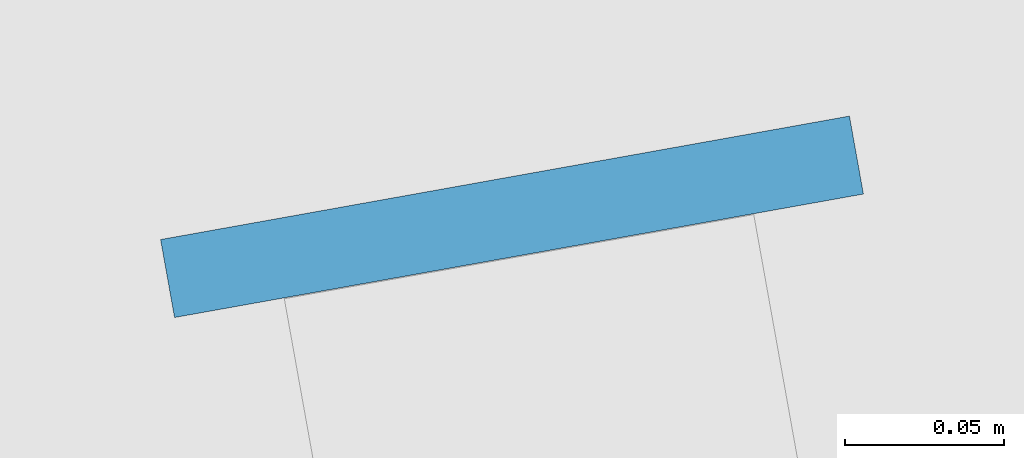
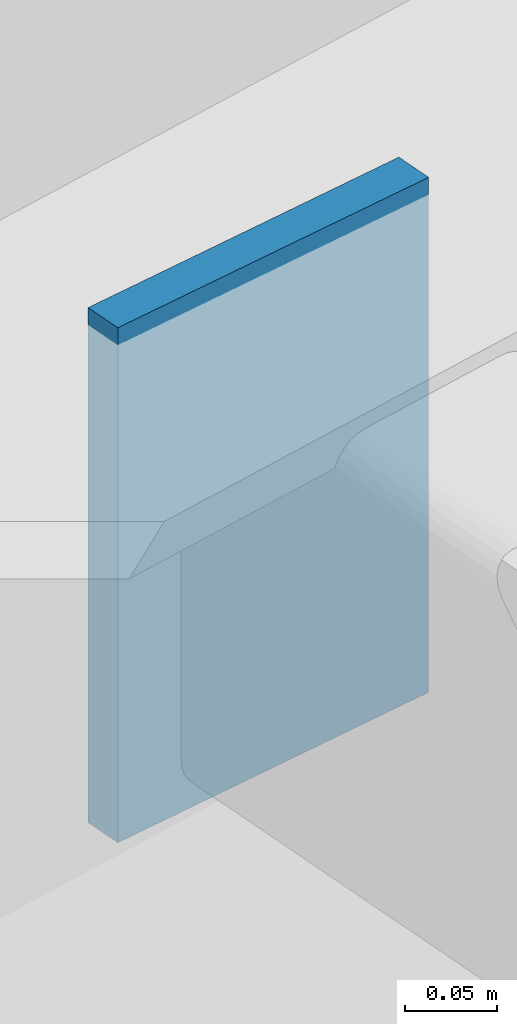
# One storey, part 7 of 15: 1 plate.
"""IFC4 building model written with IfcOpenShell, lengths in metres."""

from ifc_helpers import new_model, si_unit, direction, frame, origin, origin_2d, place, context, subcontext, project, spatial, rectangle, extrude, material, layer, layer_set, type_object, element, save


model = new_model("IFC4")

# Units and contexts
model_context = context("Model", 3, precision=1e-05, world=origin(), true_north=direction((0.0, 1.0)))
body_context = subcontext(model_context, "Body", "Model", "MODEL_VIEW")
ifc_project = project(units=[si_unit("LENGTHUNIT", "METRE"), si_unit("AREAUNIT", "SQUARE_METRE"), si_unit("VOLUMEUNIT", "CUBIC_METRE"), si_unit("PLANEANGLEUNIT", "RADIAN"), si_unit("MASSUNIT", "GRAM", prefix="KILO")], contexts=[model_context])

# Site, building, storey
site_placement = place(None, origin())
site = spatial("IfcSite", under=ifc_project, at=site_placement, CompositionType="ELEMENT")
building_placement = place(site_placement, origin())
building = spatial("IfcBuilding", under=site, at=building_placement, Name="Valkerne Bourse Tower", CompositionType="ELEMENT")
storey_placement = place(building_placement, frame((0.0, 0.0, 205.60009765625)))
storey = spatial("IfcBuildingStorey", under=building, at=storey_placement, Name="L52", CompositionType="ELEMENT", Elevation=205.60009765625)

# Plate
ifc_material = material(Name="Steel ASTM A572 Grade 50", Category="steel")
ifc_layer = layer(ifc_material, 0.02490234375)
ifc_layer_set = layer_set([ifc_layer], Name="Steel ASTM A572 Grade 50")
plate_type = type_object("IfcPlateType", Name="PLT-CAP-300", PredefinedType="SHEET", material=ifc_layer_set)
plate_placement = place(storey_placement, frame((60.6171875, 28.091796875, 3.27001953125), z_axis=(0.0, 0.0, 1.0), x_axis=(-0.176397599067, 0.984318996588, 0.0)))
element("IfcPlate", 1, at=plate_placement, inside=storey, type_object=plate_type, Name="L52 HSS300x150 Purlin End Cap Plate PLT-CAP300-L52-005", PredefinedType="SHEET", context=body_context, shape_type="SweptSolid", body=[
    extrude(rectangle(XDim=0.02490234375, YDim=0.219970703125, at=origin_2d()), origin(), (0.0, 0.0, 1.0), 0.340087890625),
])

save(model, "model.ifc")
